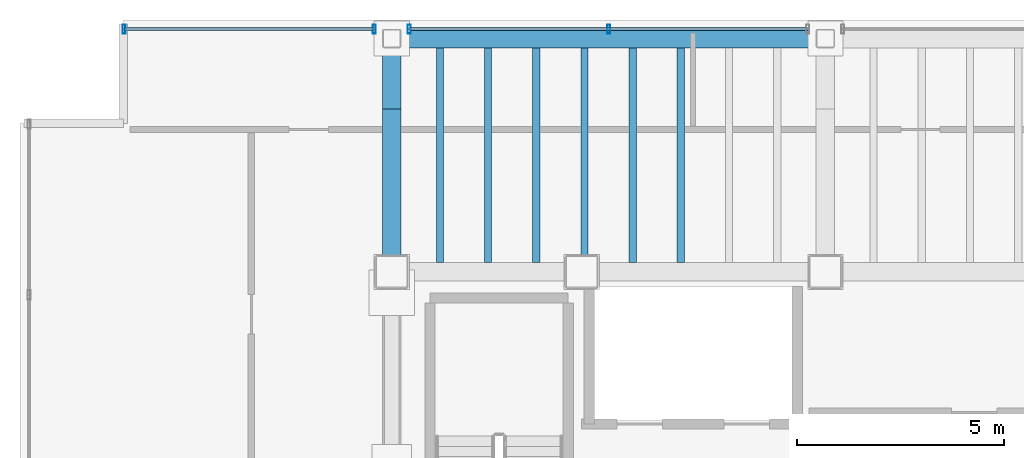
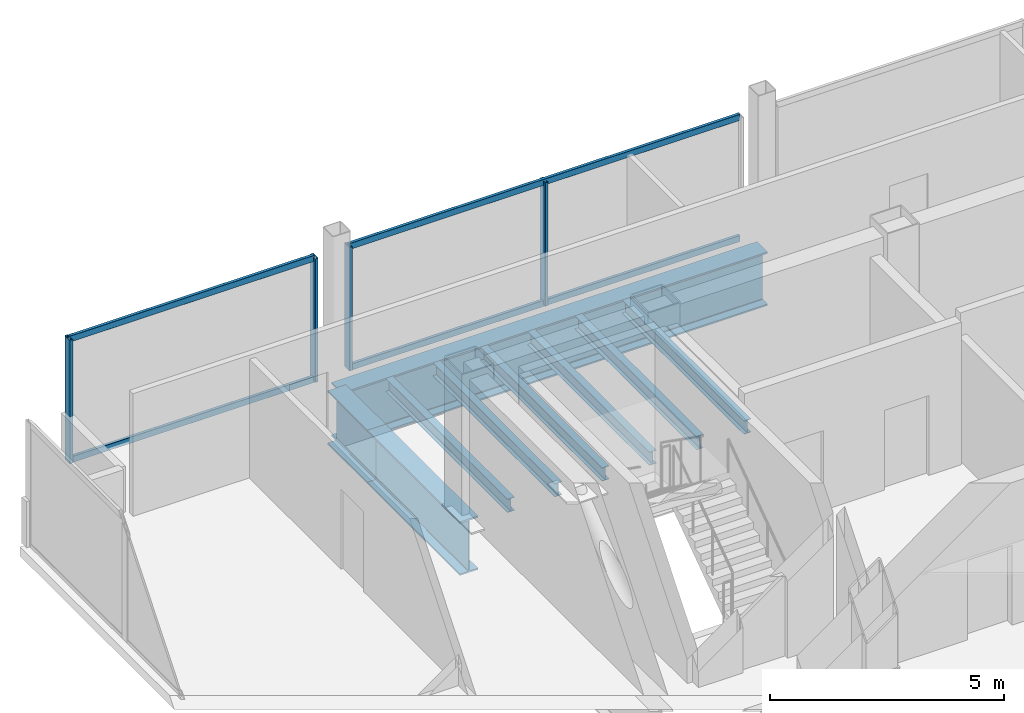
# One storey, part 10 of 19: 9 beams, 8 members, 2 elements without a shape of their own.
"""IFC4 building model written with IfcOpenShell, lengths in metres."""

from ifc_helpers import new_model, si_unit, direction, frame, origin, origin_2d, place, context, subcontext, project, spatial, hollow_rectangle, i_section, extrude, material, material_profile, profile_set, type_object, element, aggregate, save


model = new_model("IFC4")

# Units and contexts
model_context = context("Model", 3, precision=1e-05, world=origin(), true_north=direction((0.0, 1.0)))
body_context = subcontext(model_context, "Body", "Model", "MODEL_VIEW")
ifc_project = project(units=[si_unit("LENGTHUNIT", "METRE"), si_unit("AREAUNIT", "SQUARE_METRE"), si_unit("VOLUMEUNIT", "CUBIC_METRE"), si_unit("PLANEANGLEUNIT", "RADIAN"), si_unit("MASSUNIT", "GRAM", prefix="KILO")], contexts=[model_context])

# Site, building, storey
site_placement = place(None, origin())
site = spatial("IfcSite", under=ifc_project, at=site_placement, CompositionType="ELEMENT")
building_placement = place(site_placement, origin())
building = spatial("IfcBuilding", under=site, at=building_placement, Name="Noeulbin Bourse Tower", CompositionType="ELEMENT")
storey_placement = place(building_placement, frame((0.0, 0.0, 257.89990234375)))
storey = spatial("IfcBuildingStorey", under=building, at=storey_placement, Name="L64", CompositionType="ELEMENT", Elevation=257.89990234375)

# Beams
ifc_material_1 = material(Name="Steel S355", Category="steel")
ifc_material_profile_1 = material_profile(ifc_material_1, i_section(OverallWidth=0.175048828125, OverallDepth=0.35009765625, WebThickness=0.007080078125, FlangeThickness=0.010986328125, FilletRadius=0.013916015625, at=origin_2d()), Name="H-350x175x7x11", Category="LoadBearing")
ifc_profile_set_1 = profile_set([ifc_material_profile_1], Name="Steel S355")
beam_type_1 = type_object("IfcBeamType", Name="BM-JST-350", PredefinedType="JOIST", material=ifc_profile_set_1)
for number, where, z_axis, x_axis, name in (
    (1, (14.666748046875, 38.52490234375, -0.414794921875), (0.0, 1.0, 0.0), (-1.0, 0.0, 0.0), "Tower Composite Joist L64-02"),
    (2, (15.833251953125, 38.52490234375, -0.414794921875), (0.0, 1.0, 0.0), (-1.0, 0.0, 0.0), "Tower Composite Joist L64-04"),
    (3, (17.0, 38.52490234375, -0.414794921875), (0.0, 1.0, 0.0), (-1.0, 0.0, 0.0), "Tower Composite Joist L64-06"),
    (4, (18.166748046875, 38.52490234375, -0.414794921875), (0.0, 1.0, 0.0), (-1.0, 0.0, 0.0), "Tower Composite Joist L64-08"),
    (5, (19.333251953125, 38.52490234375, -0.414794921875), (0.0, 1.0, 0.0), (-1.0, 0.0, 0.0), "Tower Composite Joist L64-10"),
    (6, (20.5, 38.52490234375, -0.414794921875), (0.0, 1.0, 0.0), (-1.0, 0.0, 0.0), "Tower Composite Joist L64-12"),
):
    element("IfcBeam", number, at=place(storey_placement, frame(where, z_axis=z_axis, x_axis=x_axis)), inside=storey, type_object=beam_type_1, Name=name, PredefinedType="JOIST", context=body_context, shape_type="SweptSolid", body=[
        extrude(i_section(OverallWidth=0.175048828125, OverallDepth=0.35009765625, WebThickness=0.007080078125, FlangeThickness=0.010986328125, FilletRadius=0.013916015625, at=origin_2d()), origin(), (0.0, 0.0, 1.0), 5.2001953125),
    ])
ifc_material_2 = material(Name="Steel S460", Category="steel")
ifc_material_profile_2 = material_profile(ifc_material_2, i_section(OverallWidth=0.449951171875, OverallDepth=1.39990234375, WebThickness=0.02392578125, FlangeThickness=0.0400390625, FilletRadius=0.02392578125, at=origin_2d()), Name="PG-1400x450x24x40", Category="LoadBearing")
ifc_profile_set_2 = profile_set([ifc_material_profile_2], Name="Steel S460")
beam_type_2 = type_object("IfcBeamType", Name="BM-TRF-1400", PredefinedType="USERDEFINED", material=ifc_profile_set_2)
beam_1_placement = place(storey_placement, frame((13.5, 38.300048828125, -0.93994140625), z_axis=(0.0, 1.0, 0.0), x_axis=(-1.0, 0.0, 0.0)))
element("IfcBeam", 7, at=beam_1_placement, inside=storey, type_object=beam_type_2, Name="Tower Primary Girder NS L64-1.4", ObjectType="GIRDER", PredefinedType="USERDEFINED", context=body_context, shape_type="SweptSolid", body=[
    extrude(i_section(OverallWidth=0.449951171875, OverallDepth=1.39990234375, WebThickness=0.02392578125, FlangeThickness=0.0400390625, FilletRadius=0.02392578125, at=origin_2d()), origin(), (0.0, 0.0, 1.0), 3.949951171875),
])
beam_2_placement = place(storey_placement, frame((13.5, 42.25, -0.93994140625), z_axis=(0.0, 1.0, 0.0), x_axis=(-1.0, 0.0, 0.0)))
element("IfcBeam", 8, at=beam_2_placement, inside=storey, type_object=beam_type_2, Name="Tower Primary Girder NS L64-1.5", ObjectType="GIRDER", PredefinedType="USERDEFINED", context=body_context, shape_type="SweptSolid", body=[
    extrude(i_section(OverallWidth=0.449951171875, OverallDepth=1.39990234375, WebThickness=0.02392578125, FlangeThickness=0.0400390625, FilletRadius=0.02392578125, at=origin_2d()), origin(), (0.0, 0.0, 1.0), 1.699951171875),
])
beam_3_placement = place(storey_placement, frame((13.5, 43.949951171875, -0.93994140625), z_axis=(1.0, 0.0, 0.0), x_axis=(0.0, 1.0, 0.0)))
element("IfcBeam", 9, at=beam_3_placement, inside=storey, type_object=beam_type_2, Name="North Spandrel L64-1", ObjectType="GIRDER", PredefinedType="USERDEFINED", context=body_context, shape_type="SweptSolid", body=[
    extrude(i_section(OverallWidth=0.449951171875, OverallDepth=1.39990234375, WebThickness=0.02392578125, FlangeThickness=0.0400390625, FilletRadius=0.02392578125, at=origin_2d()), origin(), (0.0, 0.0, 1.0), 10.5),
])

# Curtain wall, members
ifc_material_3 = material(Name="High-Selectivity Low-Iron Glazing", Category="glass")
curtain_wall_type = type_object("IfcCurtainWallType", Name="CW-SYS-4", PredefinedType="NOTDEFINED", material=ifc_material_3)
curtain_wall_1_placement = place(storey_placement, origin())
curtain_wall_1 = element("IfcCurtainWall", 10, at=curtain_wall_1_placement, inside=storey, type_object=curtain_wall_type, Name="Unitised Curtain Wall CW-L64-N-S1", PredefinedType="NOTDEFINED")
ifc_material_4 = material(Name="Anodised Aluminium 6063-T6", Category="aluminium")
ifc_material_profile_3 = material_profile(ifc_material_4, hollow_rectangle(XDim=0.074951171875, YDim=0.219970703125, WallThickness=0.0048828125, InnerFilletRadius=0.00244140625, OuterFilletRadius=0.0048828125, at=origin_2d()), Name="ALU-MULL-75x220x5", Category="LoadBearing")
ifc_profile_set_3 = profile_set([ifc_material_profile_3], Name="Anodised Aluminium 6063-T6")
member_type_1 = type_object("IfcMemberType", Name="CW-SYS-4-MUL", PredefinedType="MULLION", material=ifc_profile_set_3)
member_1_placement = place(storey_placement, frame((7.02001953125, 44.179931640625, -0.02001953125), z_axis=(0.0, 0.0, 1.0), x_axis=(1.0, 0.0, 0.0)))
member_1 = element("IfcMember", 11, at=member_1_placement, type_object=member_type_1, Name="Curtain Wall Mullion CW-L64-N-S1-M00", PredefinedType="MULLION", context=body_context, shape_type="SweptSolid", body=[
    extrude(hollow_rectangle(XDim=0.074951171875, YDim=0.219970703125, WallThickness=0.0048828125, InnerFilletRadius=0.00244140625, OuterFilletRadius=0.0048828125, at=origin_2d()), origin(), (0.0, 0.0, 1.0), 3.22021484375),
])
member_2_placement = place(storey_placement, frame((13.074951171875, 44.179931640625, -0.02001953125), z_axis=(0.0, 0.0, 1.0), x_axis=(1.0, 0.0, 0.0)))
member_2 = element("IfcMember", 12, at=member_2_placement, type_object=member_type_1, Name="Curtain Wall Mullion CW-L64-N-S1-M01", PredefinedType="MULLION", context=body_context, shape_type="SweptSolid", body=[
    extrude(hollow_rectangle(XDim=0.074951171875, YDim=0.219970703125, WallThickness=0.0048828125, InnerFilletRadius=0.00244140625, OuterFilletRadius=0.0048828125, at=origin_2d()), origin(), (0.0, 0.0, 1.0), 3.22021484375),
])

curtain_wall_2_placement = place(storey_placement, origin())
curtain_wall_2 = element("IfcCurtainWall", 13, at=curtain_wall_2_placement, inside=storey, type_object=curtain_wall_type, Name="Unitised Curtain Wall CW-L64-N-S2", PredefinedType="NOTDEFINED")
member_3_placement = place(storey_placement, frame((13.925048828125, 44.179931640625, -0.02001953125), z_axis=(0.0, 0.0, 1.0), x_axis=(1.0, 0.0, 0.0)))
member_3 = element("IfcMember", 14, at=member_3_placement, type_object=member_type_1, Name="Curtain Wall Mullion CW-L64-N-S2-M00", PredefinedType="MULLION", context=body_context, shape_type="SweptSolid", body=[
    extrude(hollow_rectangle(XDim=0.074951171875, YDim=0.219970703125, WallThickness=0.0048828125, InnerFilletRadius=0.00244140625, OuterFilletRadius=0.0048828125, at=origin_2d()), origin(), (0.0, 0.0, 1.0), 3.22021484375),
])
member_4_placement = place(storey_placement, frame((18.75, 44.179931640625, -0.02001953125), z_axis=(0.0, 0.0, 1.0), x_axis=(1.0, 0.0, 0.0)))
member_4 = element("IfcMember", 15, at=member_4_placement, type_object=member_type_1, Name="Curtain Wall Mullion CW-L64-N-S2-M01", PredefinedType="MULLION", context=body_context, shape_type="SweptSolid", body=[
    extrude(hollow_rectangle(XDim=0.074951171875, YDim=0.219970703125, WallThickness=0.0048828125, InnerFilletRadius=0.00244140625, OuterFilletRadius=0.0048828125, at=origin_2d()), origin(), (0.0, 0.0, 1.0), 3.22021484375),
])

# Member
ifc_material_profile_4 = material_profile(ifc_material_4, hollow_rectangle(XDim=0.074951171875, YDim=0.159912109375, WallThickness=0.0048828125, InnerFilletRadius=0.00244140625, OuterFilletRadius=0.0048828125, at=origin_2d()), Name="ALU-TRAN-75x160x5", Category="LoadBearing")
ifc_profile_set_4 = profile_set([ifc_material_profile_4], Name="Anodised Aluminium 6063-T6")
member_type_2 = type_object("IfcMemberType", Name="CW-SYS-4-TRN", PredefinedType="USERDEFINED", material=ifc_profile_set_4)
member_5_placement = place(storey_placement, frame((7.030029296875, 44.179931640625, 0.010009765625), z_axis=(1.0, 0.0, 0.0), x_axis=(0.0, 1.0, 0.0)))
member_5 = element("IfcMember", 16, at=member_5_placement, type_object=member_type_2, Name="Curtain Wall Transom CW-L64-N-S1-T00", ObjectType="TRANSOM", PredefinedType="USERDEFINED", context=body_context, shape_type="SweptSolid", body=[
    extrude(hollow_rectangle(XDim=0.074951171875, YDim=0.159912109375, WallThickness=0.0048828125, InnerFilletRadius=0.00244140625, OuterFilletRadius=0.0048828125, at=origin_2d()), origin(), (0.0, 0.0, 1.0), 6.034912109375),
])

member_6_placement = place(storey_placement, frame((7.030029296875, 44.179931640625, 3.170166015625), z_axis=(1.0, 0.0, 0.0), x_axis=(0.0, 1.0, 0.0)))
member_6 = element("IfcMember", 17, at=member_6_placement, type_object=member_type_2, Name="Curtain Wall Transom CW-L64-N-S1-T01", ObjectType="TRANSOM", PredefinedType="USERDEFINED", context=body_context, shape_type="SweptSolid", body=[
    extrude(hollow_rectangle(XDim=0.074951171875, YDim=0.159912109375, WallThickness=0.0048828125, InnerFilletRadius=0.00244140625, OuterFilletRadius=0.0048828125, at=origin_2d()), origin(), (0.0, 0.0, 1.0), 6.034912109375),
])

aggregate(curtain_wall_1, [member_1, member_2, member_5, member_6])

member_7_placement = place(storey_placement, frame((13.93505859375, 44.179931640625, 0.010009765625), z_axis=(1.0, 0.0, 0.0), x_axis=(0.0, 1.0, 0.0)))
member_7 = element("IfcMember", 18, at=member_7_placement, type_object=member_type_2, Name="Curtain Wall Transom CW-L64-N-S2-T00", ObjectType="TRANSOM", PredefinedType="USERDEFINED", context=body_context, shape_type="SweptSolid", body=[
    extrude(hollow_rectangle(XDim=0.074951171875, YDim=0.159912109375, WallThickness=0.0048828125, InnerFilletRadius=0.00244140625, OuterFilletRadius=0.0048828125, at=origin_2d()), origin(), (0.0, 0.0, 1.0), 9.6298828125),
])

member_8_placement = place(storey_placement, frame((13.93505859375, 44.179931640625, 3.170166015625), z_axis=(1.0, 0.0, 0.0), x_axis=(0.0, 1.0, 0.0)))
member_8 = element("IfcMember", 19, at=member_8_placement, type_object=member_type_2, Name="Curtain Wall Transom CW-L64-N-S2-T01", ObjectType="TRANSOM", PredefinedType="USERDEFINED", context=body_context, shape_type="SweptSolid", body=[
    extrude(hollow_rectangle(XDim=0.074951171875, YDim=0.159912109375, WallThickness=0.0048828125, InnerFilletRadius=0.00244140625, OuterFilletRadius=0.0048828125, at=origin_2d()), origin(), (0.0, 0.0, 1.0), 9.6298828125),
])

aggregate(curtain_wall_2, [member_3, member_4, member_7, member_8])

save(model, "model.ifc")
